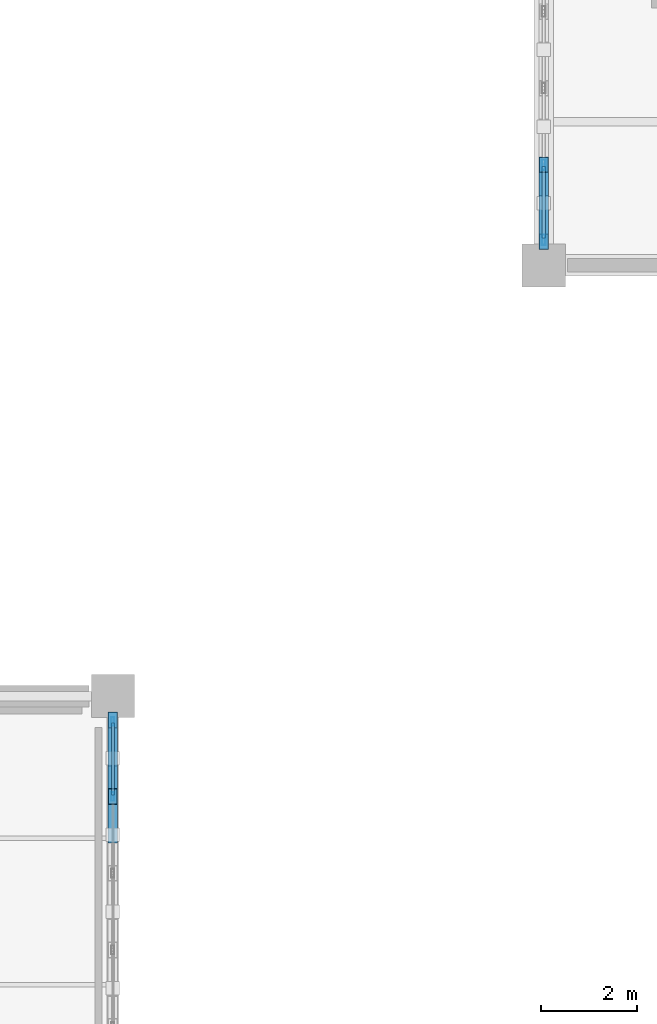
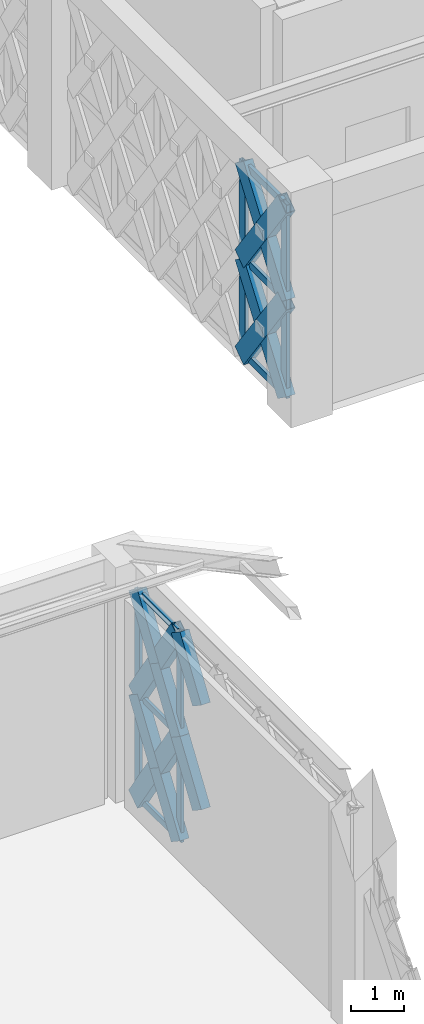
# One storey, part 69 of 166: 24 members, 2 elements without a shape of their own.
"""IFC4 building model written with IfcOpenShell, lengths in metres."""

from ifc_helpers import new_model, si_unit, direction, frame, origin, origin_2d, place, context, subcontext, project, spatial, hollow_rectangle, extrude, material, material_profile, profile_set, type_object, element, aggregate, save


model = new_model("IFC4")

# Units and contexts
model_context = context("Model", 3, precision=1e-05, world=origin(), true_north=direction((0.0, 1.0)))
body_context = subcontext(model_context, "Body", "Model", "MODEL_VIEW")
ifc_project = project(units=[si_unit("LENGTHUNIT", "METRE"), si_unit("AREAUNIT", "SQUARE_METRE"), si_unit("VOLUMEUNIT", "CUBIC_METRE"), si_unit("PLANEANGLEUNIT", "RADIAN"), si_unit("MASSUNIT", "GRAM", prefix="KILO")], contexts=[model_context])

# Site, building, storey
site_placement = place(None, origin())
site = spatial("IfcSite", under=ifc_project, at=site_placement, CompositionType="ELEMENT")
building_placement = place(site_placement, origin())
building = spatial("IfcBuilding", under=site, at=building_placement, Name="Haizhuo Lancet Aquarium", CompositionType="ELEMENT")
storey_placement = place(building_placement, frame((0.0, 0.0, 5.39990234375)))
storey = spatial("IfcBuildingStorey", under=building, at=storey_placement, Name="L01", CompositionType="ELEMENT", Elevation=5.39990234375)

# Curtain wall, members
ifc_material_1 = material(Name="Aluminium 6063-T6", Category="aluminium")
curtain_wall_type_1 = type_object("IfcCurtainWallType", Name="CWD-8010x4800", PredefinedType="NOTDEFINED", material=ifc_material_1)
curtain_wall_1_placement = place(storey_placement, origin())
curtain_wall_1 = element("IfcCurtainWall", 1, at=curtain_wall_1_placement, inside=storey, type_object=curtain_wall_type_1, Name="L01 curtain wall CW-V2-L01-025", PredefinedType="NOTDEFINED")
ifc_material_profile_1 = material_profile(ifc_material_1, hollow_rectangle(XDim=0.06494140625, YDim=0.179931640625, WallThickness=0.00390625, at=origin_2d()), Name="ALU-M 65x180x4")
ifc_profile_set_1 = profile_set([ifc_material_profile_1], Name="Aluminium 6063-T6")
member_type_1 = type_object("IfcMemberType", Name="CW-MUL-1", PredefinedType="MULLION", material=ifc_profile_set_1)
member_1_placement = place(storey_placement, frame((-36.0, 26.472900390625, 0.0), z_axis=(0.0, 0.0, 1.0), x_axis=(1.0, 0.0, 0.0)))
member_1 = element("IfcMember", 2, at=member_1_placement, type_object=member_type_1, Name="CWD-80x48 mullion 1", PredefinedType="MULLION", context=body_context, shape_type="SweptSolid", body=[
    extrude(hollow_rectangle(XDim=0.06494140625, YDim=0.179931640625, WallThickness=0.00390625, at=origin_2d()), origin(), (0.0, 0.0, 1.0), 4.800048828125),
])
member_2_placement = place(storey_placement, frame((-36.0, 24.903076171875, 0.0), z_axis=(0.0, 0.0, 1.0), x_axis=(1.0, 0.0, 0.0)))
member_2 = element("IfcMember", 3, at=member_2_placement, type_object=member_type_1, Name="CWD-80x48 mullion 2", PredefinedType="MULLION", context=body_context, shape_type="SweptSolid", body=[
    extrude(hollow_rectangle(XDim=0.06494140625, YDim=0.179931640625, WallThickness=0.00390625, at=origin_2d()), origin(), (0.0, 0.0, 1.0), 4.800048828125),
])

curtain_wall_type_2 = type_object("IfcCurtainWallType", Name="CWD-8010x4440", PredefinedType="NOTDEFINED", material=ifc_material_1)
curtain_wall_2_placement = place(storey_placement, origin())
curtain_wall_2 = element("IfcCurtainWall", 4, at=curtain_wall_2_placement, inside=storey, type_object=curtain_wall_type_2, Name="L01 curtain wall CW-V5-L01-128", PredefinedType="NOTDEFINED")
ifc_material_profile_2 = material_profile(ifc_material_1, hollow_rectangle(XDim=0.074951171875, YDim=0.219970703125, WallThickness=0.0048828125, at=origin_2d()), Name="ALU-M 75x220x5")
ifc_profile_set_2 = profile_set([ifc_material_profile_2], Name="Aluminium 6063-T6")
member_type_2 = type_object("IfcMemberType", Name="CW-MUL-2", PredefinedType="MULLION", material=ifc_profile_set_2)
member_3_placement = place(storey_placement, frame((-27.0, 36.531982421875, 0.0), z_axis=(0.0, 0.0, 1.0), x_axis=(-1.0, 0.0, 0.0)))
member_3 = element("IfcMember", 5, at=member_3_placement, type_object=member_type_2, Name="CWD-80x44 mullion 1", PredefinedType="MULLION", context=body_context, shape_type="SweptSolid", body=[
    extrude(hollow_rectangle(XDim=0.074951171875, YDim=0.219970703125, WallThickness=0.0048828125, at=origin_2d()), origin(), (0.0, 0.0, 1.0), 4.440185546875),
])
member_4_placement = place(storey_placement, frame((-27.0, 38.096923828125, 0.0), z_axis=(0.0, 0.0, 1.0), x_axis=(-1.0, 0.0, 0.0)))
member_4 = element("IfcMember", 6, at=member_4_placement, type_object=member_type_2, Name="CWD-80x44 mullion 2", PredefinedType="MULLION", context=body_context, shape_type="SweptSolid", body=[
    extrude(hollow_rectangle(XDim=0.074951171875, YDim=0.219970703125, WallThickness=0.0048828125, at=origin_2d()), origin(), (0.0, 0.0, 1.0), 4.440185546875),
])

# Member
ifc_material_profile_3 = material_profile(ifc_material_1, hollow_rectangle(XDim=0.06494140625, YDim=0.139892578125, WallThickness=0.00390625, at=origin_2d()), Name="ALU-T 65x140x4")
ifc_profile_set_3 = profile_set([ifc_material_profile_3], Name="Aluminium 6063-T6")
member_type_3 = type_object("IfcMemberType", Name="CW-TRN-1", PredefinedType="NOTDEFINED", material=ifc_profile_set_3)
member_5_placement = place(storey_placement, frame((-36.0, 26.43994140625, 0.033203125), z_axis=(0.0, -1.0, 0.0), x_axis=(1.0, 0.0, 0.0)))
member_5 = element("IfcMember", 7, at=member_5_placement, type_object=member_type_3, Name="CWD-80x48 transom 1.1", ObjectType="TRANSOM", PredefinedType="USERDEFINED", context=body_context, shape_type="SweptSolid", body=[
    extrude(hollow_rectangle(XDim=0.06494140625, YDim=0.139892578125, WallThickness=0.00390625, at=origin_2d()), origin(), (0.0, 0.0, 1.0), 1.5048828125),
])

member_6_placement = place(storey_placement, frame((-36.0, 26.43994140625, 2.400146484375), z_axis=(0.0, -1.0, 0.0), x_axis=(1.0, 0.0, 0.0)))
member_6 = element("IfcMember", 8, at=member_6_placement, type_object=member_type_3, Name="CWD-80x48 transom 1.2", ObjectType="TRANSOM", PredefinedType="USERDEFINED", context=body_context, shape_type="SweptSolid", body=[
    extrude(hollow_rectangle(XDim=0.06494140625, YDim=0.139892578125, WallThickness=0.00390625, at=origin_2d()), origin(), (0.0, 0.0, 1.0), 1.5048828125),
])

member_7_placement = place(storey_placement, frame((-36.0, 26.43994140625, 4.76708984375), z_axis=(0.0, -1.0, 0.0), x_axis=(1.0, 0.0, 0.0)))
member_7 = element("IfcMember", 9, at=member_7_placement, type_object=member_type_3, Name="CWD-80x48 transom 1.3", ObjectType="TRANSOM", PredefinedType="USERDEFINED", context=body_context, shape_type="SweptSolid", body=[
    extrude(hollow_rectangle(XDim=0.06494140625, YDim=0.139892578125, WallThickness=0.00390625, at=origin_2d()), origin(), (0.0, 0.0, 1.0), 1.5048828125),
])

aggregate(curtain_wall_1, [member_1, member_2, member_5, member_6, member_7])

ifc_material_profile_4 = material_profile(ifc_material_1, hollow_rectangle(XDim=0.074951171875, YDim=0.159912109375, WallThickness=0.00390625, at=origin_2d()), Name="ALU-T 75x160x4")
ifc_profile_set_4 = profile_set([ifc_material_profile_4], Name="Aluminium 6063-T6")
member_type_4 = type_object("IfcMemberType", Name="CW-TRN-2", PredefinedType="NOTDEFINED", material=ifc_profile_set_4)
member_8_placement = place(storey_placement, frame((-27.0, 36.570068359375, 0.0380859375), z_axis=(0.0, 1.0, 0.0), x_axis=(-1.0, 0.0, 0.0)))
member_8 = element("IfcMember", 10, at=member_8_placement, type_object=member_type_4, Name="CWD-80x44 transom 1.1", ObjectType="TRANSOM", PredefinedType="USERDEFINED", context=body_context, shape_type="SweptSolid", body=[
    extrude(hollow_rectangle(XDim=0.074951171875, YDim=0.159912109375, WallThickness=0.00390625, at=origin_2d()), origin(), (0.0, 0.0, 1.0), 1.489013671875),
])

member_9_placement = place(storey_placement, frame((-27.0, 36.570068359375, 2.22021484375), z_axis=(0.0, 1.0, 0.0), x_axis=(-1.0, 0.0, 0.0)))
member_9 = element("IfcMember", 11, at=member_9_placement, type_object=member_type_4, Name="CWD-80x44 transom 1.2", ObjectType="TRANSOM", PredefinedType="USERDEFINED", context=body_context, shape_type="SweptSolid", body=[
    extrude(hollow_rectangle(XDim=0.074951171875, YDim=0.159912109375, WallThickness=0.00390625, at=origin_2d()), origin(), (0.0, 0.0, 1.0), 1.489013671875),
])

member_10_placement = place(storey_placement, frame((-27.0, 36.570068359375, 4.403076171875), z_axis=(0.0, 1.0, 0.0), x_axis=(-1.0, 0.0, 0.0)))
member_10 = element("IfcMember", 12, at=member_10_placement, type_object=member_type_4, Name="CWD-80x44 transom 1.3", ObjectType="TRANSOM", PredefinedType="USERDEFINED", context=body_context, shape_type="SweptSolid", body=[
    extrude(hollow_rectangle(XDim=0.074951171875, YDim=0.159912109375, WallThickness=0.00390625, at=origin_2d()), origin(), (0.0, 0.0, 1.0), 1.489013671875),
])

aggregate(curtain_wall_2, [member_3, member_4, member_8, member_9, member_10])

# Members
ifc_material_2 = material(Name="Steel S355", Category="steel")
ifc_material_profile_5 = material_profile(ifc_material_2, hollow_rectangle(XDim=0.199951171875, YDim=0.39990234375, WallThickness=0.011962890625, at=origin_2d()), Name="RHS 200x400x12")
ifc_profile_set_5 = profile_set([ifc_material_profile_5], Name="Steel S355")
member_type_5 = type_object("IfcMemberType", Name="MEM-LB-RHS200x400", PredefinedType="BRACE", material=ifc_profile_set_5)
member_11_placement = place(storey_placement, frame((-36.0, 26.5048828125, 0.0), z_axis=(0.0, -0.555110150089, 0.831776845835), x_axis=(1.0, 0.0, 0.0)))
element("IfcMember", 13, at=member_11_placement, inside=storey, type_object=member_type_5, Name="Gothic lancet continuous diagonal brace CW-V2-L01-025 1A", PredefinedType="BRACE", context=body_context, shape_type="SweptSolid", body=[
    extrude(hollow_rectangle(XDim=0.199951171875, YDim=0.39990234375, WallThickness=0.011962890625, at=origin_2d()), origin(), (0.0, 0.0, 1.0), 2.885498046875),
])
member_12_placement = place(storey_placement, frame((-36.0, 24.903076171875, 0.0), z_axis=(0.0, 0.555129617962, 0.831763853063), x_axis=(-1.0, 0.0, 0.0)))
element("IfcMember", 14, at=member_12_placement, inside=storey, type_object=member_type_5, Name="Gothic lancet split diagonal brace CW-V2-L01-025 1B1", PredefinedType="BRACE", context=body_context, shape_type="SweptSolid", body=[
    extrude(hollow_rectangle(XDim=0.199951171875, YDim=0.39990234375, WallThickness=0.011962890625, at=origin_2d()), origin(), (0.0, 0.0, 1.0), 1.44287109375),
])
member_13_placement = place(storey_placement, frame((-36.0, 25.7041015625, 1.2001953125), z_axis=(0.0, 0.555090677343, 0.831789841202), x_axis=(-1.0, 0.0, 0.0)))
element("IfcMember", 15, at=member_13_placement, inside=storey, type_object=member_type_5, Name="Gothic lancet split diagonal brace CW-V2-L01-025 1B2", PredefinedType="BRACE", context=body_context, shape_type="SweptSolid", body=[
    extrude(hollow_rectangle(XDim=0.199951171875, YDim=0.39990234375, WallThickness=0.011962890625, at=origin_2d()), origin(), (0.0, 0.0, 1.0), 1.442626953125),
])
member_14_placement = place(storey_placement, frame((-36.0, 26.5048828125, 2.400146484375), z_axis=(0.0, -0.555149217883, 0.831750771496), x_axis=(1.0, 0.0, 0.0)))
element("IfcMember", 16, at=member_14_placement, inside=storey, type_object=member_type_5, Name="Gothic lancet continuous diagonal brace CW-V2-L01-025 2A", PredefinedType="BRACE", context=body_context, shape_type="SweptSolid", body=[
    extrude(hollow_rectangle(XDim=0.199951171875, YDim=0.39990234375, WallThickness=0.011962890625, at=origin_2d()), origin(), (0.0, 0.0, 1.0), 2.88525390625),
])
for number, where, z_axis, x_axis, name in (
    (17, (-36.0, 24.903076171875, 2.400146484375), (0.0, 0.555207750173, 0.831711701341), (-1.0, 0.0, 0.0), "Gothic lancet split diagonal brace CW-V2-L01-025 2B1"),
    (18, (-36.0, 25.7041015625, 3.60009765625), (0.0, 0.555090677343, 0.831789841202), (-1.0, 0.0, 0.0), "Gothic lancet split diagonal brace CW-V2-L01-025 2B2"),
    (19, (-36.0, 24.10205078125, 1.2001953125), (0.0, 0.555207750173, 0.831711701341), (-1.0, 0.0, 0.0), "Gothic lancet split diagonal brace CW-V2-L01-025 3B2"),
    (20, (-36.0, 24.10205078125, 3.60009765625), (0.0, 0.555207750173, 0.831711701341), (-1.0, 0.0, 0.0), "Gothic lancet split diagonal brace CW-V2-L01-025 4B2"),
):
    element("IfcMember", number, at=place(storey_placement, frame(where, z_axis=z_axis, x_axis=x_axis)), inside=storey, type_object=member_type_5, Name=name, PredefinedType="BRACE", context=body_context, shape_type="SweptSolid", body=[
        extrude(hollow_rectangle(XDim=0.199951171875, YDim=0.39990234375, WallThickness=0.011962890625, at=origin_2d()), origin(), (0.0, 0.0, 1.0), 1.442626953125),
    ])
member_15_placement = place(storey_placement, frame((-27.0, 36.4951171875, 0.0), z_axis=(0.0, 0.58508674522, 0.810970714988), x_axis=(-1.0, 0.0, 0.0)))
element("IfcMember", 21, at=member_15_placement, inside=storey, type_object=member_type_5, Name="Gothic lancet continuous diagonal brace CW-V5-L01-128 1A", PredefinedType="BRACE", context=body_context, shape_type="SweptSolid", body=[
    extrude(hollow_rectangle(XDim=0.199951171875, YDim=0.39990234375, WallThickness=0.011962890625, at=origin_2d()), origin(), (0.0, 0.0, 1.0), 2.73779296875),
])
for number, where, z_axis, x_axis, name in (
    (22, (-27.0, 38.096923828125, 0.0), (0.0, -0.585145389624, 0.810928401896), (1.0, 0.0, 0.0), "Gothic lancet split diagonal brace CW-V5-L01-128 1B1"),
    (23, (-27.0, 37.2958984375, 1.110107421875), (0.0, -0.585028091636, 0.811013028253), (1.0, 0.0, 0.0), "Gothic lancet split diagonal brace CW-V5-L01-128 1B2"),
):
    element("IfcMember", number, at=place(storey_placement, frame(where, z_axis=z_axis, x_axis=x_axis)), inside=storey, type_object=member_type_5, Name=name, PredefinedType="BRACE", context=body_context, shape_type="SweptSolid", body=[
        extrude(hollow_rectangle(XDim=0.199951171875, YDim=0.39990234375, WallThickness=0.011962890625, at=origin_2d()), origin(), (0.0, 0.0, 1.0), 1.368896484375),
    ])
member_16_placement = place(storey_placement, frame((-27.0, 36.4951171875, 2.22021484375), z_axis=(0.0, 0.585129060663, 0.810940184211), x_axis=(-1.0, 0.0, 0.0)))
element("IfcMember", 24, at=member_16_placement, inside=storey, type_object=member_type_5, Name="Gothic lancet continuous diagonal brace CW-V5-L01-128 2A", PredefinedType="BRACE", context=body_context, shape_type="SweptSolid", body=[
    extrude(hollow_rectangle(XDim=0.199951171875, YDim=0.39990234375, WallThickness=0.011962890625, at=origin_2d()), origin(), (0.0, 0.0, 1.0), 2.737548828125),
])
member_17_placement = place(storey_placement, frame((-27.0, 38.096923828125, 2.22021484375), z_axis=(0.0, -0.585230024685, 0.810867324663), x_axis=(1.0, 0.0, 0.0)))
element("IfcMember", 25, at=member_17_placement, inside=storey, type_object=member_type_5, Name="Gothic lancet split diagonal brace CW-V5-L01-128 2B1", PredefinedType="BRACE", context=body_context, shape_type="SweptSolid", body=[
    extrude(hollow_rectangle(XDim=0.199951171875, YDim=0.39990234375, WallThickness=0.011962890625, at=origin_2d()), origin(), (0.0, 0.0, 1.0), 1.36865234375),
])
member_18_placement = place(storey_placement, frame((-27.0, 37.2958984375, 3.330078125), z_axis=(0.0, -0.585028091636, 0.811013028253), x_axis=(1.0, 0.0, 0.0)))
element("IfcMember", 26, at=member_18_placement, inside=storey, type_object=member_type_5, Name="Gothic lancet split diagonal brace CW-V5-L01-128 2B2", PredefinedType="BRACE", context=body_context, shape_type="SweptSolid", body=[
    extrude(hollow_rectangle(XDim=0.199951171875, YDim=0.39990234375, WallThickness=0.011962890625, at=origin_2d()), origin(), (0.0, 0.0, 1.0), 1.368896484375),
])

save(model, "model.ifc")
